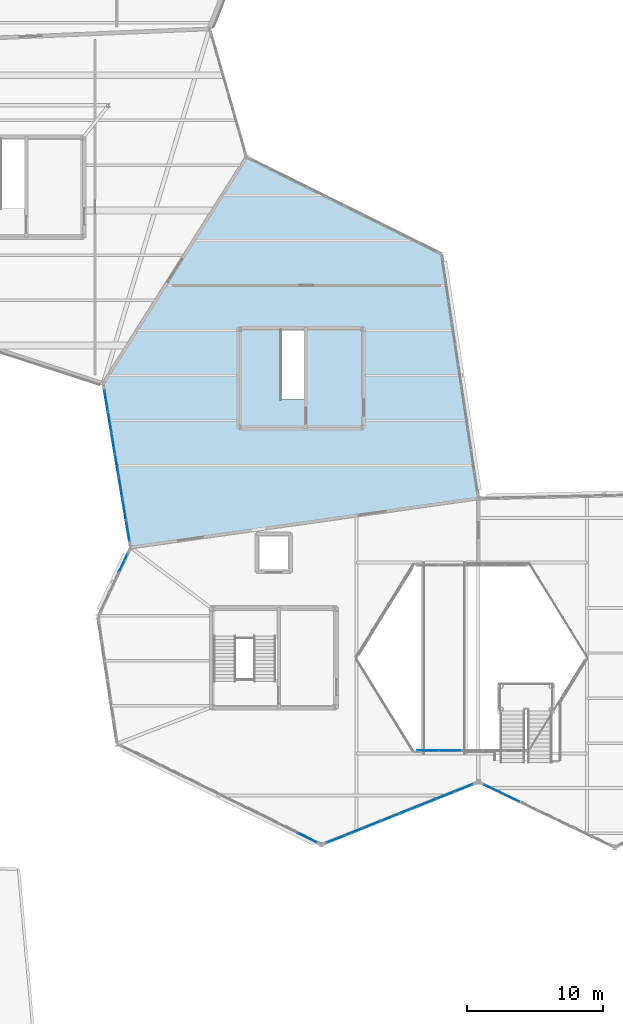
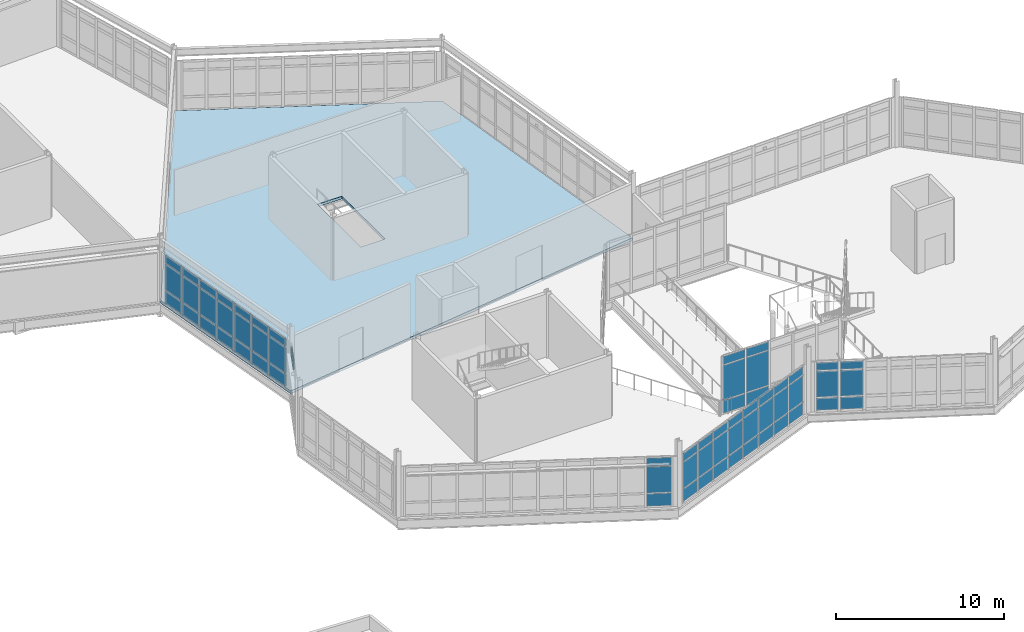
# One storey, part 45 of 76: 61 plates, 1 slab, 6 elements without a shape of their own.
"""IFC4 building model written with IfcOpenShell, lengths in metres."""

from ifc_helpers import new_model, si_unit, direction, frame, origin, origin_2d, place, context, subcontext, project, spatial, polyline, rectangle, outline, extrude, material, layer, layer_set, type_object, element, aggregate, save


model = new_model("IFC4")

# Units and contexts
model_context = context("Model", 3, precision=1e-05, world=origin(), true_north=direction((0.0, 1.0)))
body_context = subcontext(model_context, "Body", "Model", "MODEL_VIEW")
ifc_project = project(units=[si_unit("LENGTHUNIT", "METRE"), si_unit("AREAUNIT", "SQUARE_METRE"), si_unit("VOLUMEUNIT", "CUBIC_METRE"), si_unit("PLANEANGLEUNIT", "RADIAN"), si_unit("MASSUNIT", "GRAM", prefix="KILO")], contexts=[model_context])

# Site, building, storey
site_placement = place(None, origin())
site = spatial("IfcSite", under=ifc_project, at=site_placement, CompositionType="ELEMENT")
building_placement = place(site_placement, origin())
building = spatial("IfcBuilding", under=site, at=building_placement, Name="Tameran Prism Museum", CompositionType="ELEMENT")
storey_placement = place(building_placement, frame((0.0, 0.0, 15.0)))
storey = spatial("IfcBuildingStorey", under=building, at=storey_placement, Name="L03", CompositionType="ELEMENT", Elevation=15.0)

# Curtain wall, plates
ifc_material_1 = material(Name="Anodised Aluminium 6063-T6 and Cyclone Solar Glass", Category="aluminium")
curtain_wall_type_1 = type_object("IfcCurtainWallType", Name="CW-ATR-810x424", PredefinedType="USERDEFINED", material=ifc_material_1)
curtain_wall_1_placement = place(storey_placement, origin())
curtain_wall_1 = element("IfcCurtainWall", 1, at=curtain_wall_1_placement, inside=storey, type_object=curtain_wall_type_1, Name="Unitised Curtain Wall CW-011", ObjectType="UNITISED CURTAIN WALL", PredefinedType="USERDEFINED")
ifc_material_2 = material(Name="Low-E Laminated Solar Glass", Category="glass")
ifc_layer_1 = layer(ifc_material_2, 0.028076171875)
ifc_layer_set_1 = layer_set([ifc_layer_1])
plate_type_1 = type_object("IfcPlateType", Name="CW-PNL-G28", PredefinedType="CURTAIN_PANEL", material=ifc_layer_set_1)
plate_1_placement = place(storey_placement, frame((73.7763671875, 29.699951171875, 0.06494140625), z_axis=(0.0, 0.0, 1.0), x_axis=(1.0, 0.0, 0.0)))
plate_1 = element("IfcPlate", 2, at=plate_1_placement, type_object=plate_type_1, Name="CW-011 panel 1.1", PredefinedType="CURTAIN_PANEL", context=body_context, shape_type="SweptSolid", body=[
    extrude(rectangle(XDim=1.5224609375, YDim=0.028076171875, at=origin_2d()), origin(), (0.0, 0.0, 1.0), 0.902587890625),
])
plate_2_placement = place(storey_placement, frame((73.7763671875, 29.699951171875, 1.032470703125), z_axis=(0.0, 0.0, 1.0), x_axis=(1.0, 0.0, 0.0)))
plate_2 = element("IfcPlate", 3, at=plate_2_placement, type_object=plate_type_1, Name="CW-011 panel 1.2", PredefinedType="CURTAIN_PANEL", context=body_context, shape_type="SweptSolid", body=[
    extrude(rectangle(XDim=1.5224609375, YDim=0.028076171875, at=origin_2d()), origin(), (0.0, 0.0, 1.0), 2.4951171875),
])
plate_3_placement = place(storey_placement, frame((73.7763671875, 29.699951171875, 3.592529296875), z_axis=(0.0, 0.0, 1.0), x_axis=(1.0, 0.0, 0.0)))
plate_3 = element("IfcPlate", 4, at=plate_3_placement, type_object=plate_type_1, Name="CW-011 panel 1.3", PredefinedType="CURTAIN_PANEL", context=body_context, shape_type="SweptSolid", body=[
    extrude(rectangle(XDim=1.5224609375, YDim=0.028076171875, at=origin_2d()), origin(), (0.0, 0.0, 1.0), 0.58251953125),
])
plate_4_placement = place(storey_placement, frame((75.3798828125, 29.699951171875, 0.06494140625), z_axis=(0.0, 0.0, 1.0), x_axis=(1.0, 0.0, 0.0)))
plate_4 = element("IfcPlate", 5, at=plate_4_placement, type_object=plate_type_1, Name="CW-011 panel 2.1", PredefinedType="CURTAIN_PANEL", context=body_context, shape_type="SweptSolid", body=[
    extrude(rectangle(XDim=1.554931640625, YDim=0.028076171875, at=origin_2d()), origin(), (0.0, 0.0, 1.0), 0.902587890625),
])
plate_5_placement = place(storey_placement, frame((75.3798828125, 29.699951171875, 1.032470703125), z_axis=(0.0, 0.0, 1.0), x_axis=(1.0, 0.0, 0.0)))
plate_5 = element("IfcPlate", 6, at=plate_5_placement, type_object=plate_type_1, Name="CW-011 panel 2.2", PredefinedType="CURTAIN_PANEL", context=body_context, shape_type="SweptSolid", body=[
    extrude(rectangle(XDim=1.554931640625, YDim=0.028076171875, at=origin_2d()), origin(), (0.0, 0.0, 1.0), 2.4951171875),
])
plate_6_placement = place(storey_placement, frame((75.3798828125, 29.699951171875, 3.592529296875), z_axis=(0.0, 0.0, 1.0), x_axis=(1.0, 0.0, 0.0)))
plate_6 = element("IfcPlate", 7, at=plate_6_placement, type_object=plate_type_1, Name="CW-011 panel 2.3", PredefinedType="CURTAIN_PANEL", context=body_context, shape_type="SweptSolid", body=[
    extrude(rectangle(XDim=1.554931640625, YDim=0.028076171875, at=origin_2d()), origin(), (0.0, 0.0, 1.0), 0.58251953125),
])
aggregate(curtain_wall_1, [plate_1, plate_2, plate_3, plate_4, plate_5, plate_6])

ifc_material_3 = material(Name="Anodised Aluminium 6063-T6 and Cyclone Solar Glass", Category="aluminium")
curtain_wall_type_2 = type_object("IfcCurtainWallType", Name="CW-FAC-1163x362", PredefinedType="USERDEFINED", material=ifc_material_3)
curtain_wall_2_placement = place(storey_placement, origin())
curtain_wall_2 = element("IfcCurtainWall", 8, at=curtain_wall_2_placement, inside=storey, type_object=curtain_wall_type_2, Name="Unitised Curtain Wall CW-136", ObjectType="UNITISED CURTAIN WALL", PredefinedType="USERDEFINED")
plate_7_placement = place(storey_placement, frame((76.42822265625, 26.9716796875, 0.070068359375), z_axis=(0.0, 0.0, 1.0), x_axis=(-0.928464826032, -0.371420337114, 0.0)))
plate_7 = element("IfcPlate", 9, at=plate_7_placement, type_object=plate_type_1, Name="CW-136 panel 1.1", PredefinedType="CURTAIN_PANEL", context=body_context, shape_type="SweptSolid", body=[
    extrude(rectangle(XDim=1.34814453125, YDim=0.028076171875, at=origin_2d()), origin(), (0.0, 0.0, 1.0), 0.89501953125),
])
plate_8_placement = place(storey_placement, frame((76.42822265625, 26.9716796875, 1.034912109375), z_axis=(0.0, 0.0, 1.0), x_axis=(-0.928464826032, -0.371420337114, 0.0)))
plate_8 = element("IfcPlate", 10, at=plate_8_placement, type_object=plate_type_1, Name="CW-136 panel 1.2", PredefinedType="CURTAIN_PANEL", context=body_context, shape_type="SweptSolid", body=[
    extrude(rectangle(XDim=1.34814453125, YDim=0.028076171875, at=origin_2d()), origin(), (0.0, 0.0, 1.0), 1.8701171875),
])
plate_9_placement = place(storey_placement, frame((76.42822265625, 26.9716796875, 2.97509765625), z_axis=(0.0, 0.0, 1.0), x_axis=(-0.928464826032, -0.371420337114, 0.0)))
plate_9 = element("IfcPlate", 11, at=plate_9_placement, type_object=plate_type_1, Name="CW-136 panel 1.3", PredefinedType="CURTAIN_PANEL", context=body_context, shape_type="SweptSolid", body=[
    extrude(rectangle(XDim=1.34814453125, YDim=0.028076171875, at=origin_2d()), origin(), (0.0, 0.0, 1.0), 0.574951171875),
])
plate_10_placement = place(storey_placement, frame((75.09521484375, 26.4384765625, 0.070068359375), z_axis=(0.0, 0.0, 1.0), x_axis=(-0.928464826032, -0.371420337114, 0.0)))
plate_10 = element("IfcPlate", 12, at=plate_10_placement, type_object=plate_type_1, Name="CW-136 panel 2.1", PredefinedType="CURTAIN_PANEL", context=body_context, shape_type="SweptSolid", body=[
    extrude(rectangle(XDim=1.38330078125, YDim=0.028076171875, at=origin_2d()), origin(), (0.0, 0.0, 1.0), 0.89501953125),
])
plate_11_placement = place(storey_placement, frame((75.09521484375, 26.4384765625, 1.034912109375), z_axis=(0.0, 0.0, 1.0), x_axis=(-0.928464826032, -0.371420337114, 0.0)))
plate_11 = element("IfcPlate", 13, at=plate_11_placement, type_object=plate_type_1, Name="CW-136 panel 2.2", PredefinedType="CURTAIN_PANEL", context=body_context, shape_type="SweptSolid", body=[
    extrude(rectangle(XDim=1.38330078125, YDim=0.028076171875, at=origin_2d()), origin(), (0.0, 0.0, 1.0), 1.8701171875),
])
plate_12_placement = place(storey_placement, frame((75.09521484375, 26.4384765625, 2.97509765625), z_axis=(0.0, 0.0, 1.0), x_axis=(-0.928464826032, -0.371420337114, 0.0)))
plate_12 = element("IfcPlate", 14, at=plate_12_placement, type_object=plate_type_1, Name="CW-136 panel 2.3", PredefinedType="CURTAIN_PANEL", context=body_context, shape_type="SweptSolid", body=[
    extrude(rectangle(XDim=1.38330078125, YDim=0.028076171875, at=origin_2d()), origin(), (0.0, 0.0, 1.0), 0.574951171875),
])
plate_13_placement = place(storey_placement, frame((73.745849609375, 25.898681640625, 0.070068359375), z_axis=(0.0, 0.0, 1.0), x_axis=(-0.928464826032, -0.371420337114, 0.0)))
plate_13 = element("IfcPlate", 15, at=plate_13_placement, type_object=plate_type_1, Name="CW-136 panel 3.1", PredefinedType="CURTAIN_PANEL", context=body_context, shape_type="SweptSolid", body=[
    extrude(rectangle(XDim=1.38330078125, YDim=0.028076171875, at=origin_2d()), origin(), (0.0, 0.0, 1.0), 0.89501953125),
])
plate_14_placement = place(storey_placement, frame((73.745849609375, 25.898681640625, 1.034912109375), z_axis=(0.0, 0.0, 1.0), x_axis=(-0.928464826032, -0.371420337114, 0.0)))
plate_14 = element("IfcPlate", 16, at=plate_14_placement, type_object=plate_type_1, Name="CW-136 panel 3.2", PredefinedType="CURTAIN_PANEL", context=body_context, shape_type="SweptSolid", body=[
    extrude(rectangle(XDim=1.38330078125, YDim=0.028076171875, at=origin_2d()), origin(), (0.0, 0.0, 1.0), 1.8701171875),
])
plate_15_placement = place(storey_placement, frame((73.745849609375, 25.898681640625, 2.97509765625), z_axis=(0.0, 0.0, 1.0), x_axis=(-0.928464826032, -0.371420337114, 0.0)))
plate_15 = element("IfcPlate", 17, at=plate_15_placement, type_object=plate_type_1, Name="CW-136 panel 3.3", PredefinedType="CURTAIN_PANEL", context=body_context, shape_type="SweptSolid", body=[
    extrude(rectangle(XDim=1.38330078125, YDim=0.028076171875, at=origin_2d()), origin(), (0.0, 0.0, 1.0), 0.574951171875),
])
plate_16_placement = place(storey_placement, frame((72.396728515625, 25.35888671875, 0.070068359375), z_axis=(0.0, 0.0, 1.0), x_axis=(-0.928464826032, -0.371420337114, 0.0)))
plate_16 = element("IfcPlate", 18, at=plate_16_placement, type_object=plate_type_1, Name="CW-136 panel 4.1", PredefinedType="CURTAIN_PANEL", context=body_context, shape_type="SweptSolid", body=[
    extrude(rectangle(XDim=1.38330078125, YDim=0.028076171875, at=origin_2d()), origin(), (0.0, 0.0, 1.0), 0.89501953125),
])
plate_17_placement = place(storey_placement, frame((72.396728515625, 25.35888671875, 1.034912109375), z_axis=(0.0, 0.0, 1.0), x_axis=(-0.928464826032, -0.371420337114, 0.0)))
plate_17 = element("IfcPlate", 19, at=plate_17_placement, type_object=plate_type_1, Name="CW-136 panel 4.2", PredefinedType="CURTAIN_PANEL", context=body_context, shape_type="SweptSolid", body=[
    extrude(rectangle(XDim=1.38330078125, YDim=0.028076171875, at=origin_2d()), origin(), (0.0, 0.0, 1.0), 1.8701171875),
])
plate_18_placement = place(storey_placement, frame((72.396728515625, 25.35888671875, 2.97509765625), z_axis=(0.0, 0.0, 1.0), x_axis=(-0.928464826032, -0.371420337114, 0.0)))
plate_18 = element("IfcPlate", 20, at=plate_18_placement, type_object=plate_type_1, Name="CW-136 panel 4.3", PredefinedType="CURTAIN_PANEL", context=body_context, shape_type="SweptSolid", body=[
    extrude(rectangle(XDim=1.38330078125, YDim=0.028076171875, at=origin_2d()), origin(), (0.0, 0.0, 1.0), 0.574951171875),
])
plate_19_placement = place(storey_placement, frame((71.04736328125, 24.819091796875, 0.070068359375), z_axis=(0.0, 0.0, 1.0), x_axis=(-0.928464826032, -0.371420337114, 0.0)))
plate_19 = element("IfcPlate", 21, at=plate_19_placement, type_object=plate_type_1, Name="CW-136 panel 5.1", PredefinedType="CURTAIN_PANEL", context=body_context, shape_type="SweptSolid", body=[
    extrude(rectangle(XDim=1.38330078125, YDim=0.028076171875, at=origin_2d()), origin(), (0.0, 0.0, 1.0), 0.89501953125),
])
plate_20_placement = place(storey_placement, frame((71.04736328125, 24.819091796875, 1.034912109375), z_axis=(0.0, 0.0, 1.0), x_axis=(-0.928464826032, -0.371420337114, 0.0)))
plate_20 = element("IfcPlate", 22, at=plate_20_placement, type_object=plate_type_1, Name="CW-136 panel 5.2", PredefinedType="CURTAIN_PANEL", context=body_context, shape_type="SweptSolid", body=[
    extrude(rectangle(XDim=1.38330078125, YDim=0.028076171875, at=origin_2d()), origin(), (0.0, 0.0, 1.0), 1.8701171875),
])
plate_21_placement = place(storey_placement, frame((71.04736328125, 24.819091796875, 2.97509765625), z_axis=(0.0, 0.0, 1.0), x_axis=(-0.928464826032, -0.371420337114, 0.0)))
plate_21 = element("IfcPlate", 23, at=plate_21_placement, type_object=plate_type_1, Name="CW-136 panel 5.3", PredefinedType="CURTAIN_PANEL", context=body_context, shape_type="SweptSolid", body=[
    extrude(rectangle(XDim=1.38330078125, YDim=0.028076171875, at=origin_2d()), origin(), (0.0, 0.0, 1.0), 0.574951171875),
])
plate_22_placement = place(storey_placement, frame((69.6982421875, 24.279296875, 0.070068359375), z_axis=(0.0, 0.0, 1.0), x_axis=(-0.928464826032, -0.371420337114, 0.0)))
plate_22 = element("IfcPlate", 24, at=plate_22_placement, type_object=plate_type_1, Name="CW-136 panel 6.1", PredefinedType="CURTAIN_PANEL", context=body_context, shape_type="SweptSolid", body=[
    extrude(rectangle(XDim=1.38330078125, YDim=0.028076171875, at=origin_2d()), origin(), (0.0, 0.0, 1.0), 0.89501953125),
])
plate_23_placement = place(storey_placement, frame((69.6982421875, 24.279296875, 1.034912109375), z_axis=(0.0, 0.0, 1.0), x_axis=(-0.928464826032, -0.371420337114, 0.0)))
plate_23 = element("IfcPlate", 25, at=plate_23_placement, type_object=plate_type_1, Name="CW-136 panel 6.2", PredefinedType="CURTAIN_PANEL", context=body_context, shape_type="SweptSolid", body=[
    extrude(rectangle(XDim=1.38330078125, YDim=0.028076171875, at=origin_2d()), origin(), (0.0, 0.0, 1.0), 1.8701171875),
])
plate_24_placement = place(storey_placement, frame((69.6982421875, 24.279296875, 2.97509765625), z_axis=(0.0, 0.0, 1.0), x_axis=(-0.928464826032, -0.371420337114, 0.0)))
plate_24 = element("IfcPlate", 26, at=plate_24_placement, type_object=plate_type_1, Name="CW-136 panel 6.3", PredefinedType="CURTAIN_PANEL", context=body_context, shape_type="SweptSolid", body=[
    extrude(rectangle(XDim=1.38330078125, YDim=0.028076171875, at=origin_2d()), origin(), (0.0, 0.0, 1.0), 0.574951171875),
])
plate_25_placement = place(storey_placement, frame((68.348876953125, 23.73974609375, 0.070068359375), z_axis=(0.0, 0.0, 1.0), x_axis=(-0.928464826032, -0.371420337114, 0.0)))
plate_25 = element("IfcPlate", 27, at=plate_25_placement, type_object=plate_type_1, Name="CW-136 panel 7.1", PredefinedType="CURTAIN_PANEL", context=body_context, shape_type="SweptSolid", body=[
    extrude(rectangle(XDim=1.38330078125, YDim=0.028076171875, at=origin_2d()), origin(), (0.0, 0.0, 1.0), 0.89501953125),
])
plate_26_placement = place(storey_placement, frame((68.348876953125, 23.73974609375, 1.034912109375), z_axis=(0.0, 0.0, 1.0), x_axis=(-0.928464826032, -0.371420337114, 0.0)))
plate_26 = element("IfcPlate", 28, at=plate_26_placement, type_object=plate_type_1, Name="CW-136 panel 7.2", PredefinedType="CURTAIN_PANEL", context=body_context, shape_type="SweptSolid", body=[
    extrude(rectangle(XDim=1.38330078125, YDim=0.028076171875, at=origin_2d()), origin(), (0.0, 0.0, 1.0), 1.8701171875),
])
plate_27_placement = place(storey_placement, frame((68.348876953125, 23.73974609375, 2.97509765625), z_axis=(0.0, 0.0, 1.0), x_axis=(-0.928464826032, -0.371420337114, 0.0)))
plate_27 = element("IfcPlate", 29, at=plate_27_placement, type_object=plate_type_1, Name="CW-136 panel 7.3", PredefinedType="CURTAIN_PANEL", context=body_context, shape_type="SweptSolid", body=[
    extrude(rectangle(XDim=1.38330078125, YDim=0.028076171875, at=origin_2d()), origin(), (0.0, 0.0, 1.0), 0.574951171875),
])
plate_28_placement = place(storey_placement, frame((67.015869140625, 23.206298828125, 0.070068359375), z_axis=(0.0, 0.0, 1.0), x_axis=(-0.928464826032, -0.371420337114, 0.0)))
plate_28 = element("IfcPlate", 30, at=plate_28_placement, type_object=plate_type_1, Name="CW-136 panel 8.1", PredefinedType="CURTAIN_PANEL", context=body_context, shape_type="SweptSolid", body=[
    extrude(rectangle(XDim=1.34814453125, YDim=0.028076171875, at=origin_2d()), origin(), (0.0, 0.0, 1.0), 0.89501953125),
])
plate_29_placement = place(storey_placement, frame((67.015869140625, 23.206298828125, 1.034912109375), z_axis=(0.0, 0.0, 1.0), x_axis=(-0.928464826032, -0.371420337114, 0.0)))
plate_29 = element("IfcPlate", 31, at=plate_29_placement, type_object=plate_type_1, Name="CW-136 panel 8.2", PredefinedType="CURTAIN_PANEL", context=body_context, shape_type="SweptSolid", body=[
    extrude(rectangle(XDim=1.34814453125, YDim=0.028076171875, at=origin_2d()), origin(), (0.0, 0.0, 1.0), 1.8701171875),
])
plate_30_placement = place(storey_placement, frame((67.015869140625, 23.206298828125, 2.97509765625), z_axis=(0.0, 0.0, 1.0), x_axis=(-0.928464826032, -0.371420337114, 0.0)))
plate_30 = element("IfcPlate", 32, at=plate_30_placement, type_object=plate_type_1, Name="CW-136 panel 8.3", PredefinedType="CURTAIN_PANEL", context=body_context, shape_type="SweptSolid", body=[
    extrude(rectangle(XDim=1.34814453125, YDim=0.028076171875, at=origin_2d()), origin(), (0.0, 0.0, 1.0), 0.574951171875),
])
aggregate(curtain_wall_2, [plate_7, plate_8, plate_9, plate_10, plate_11, plate_12, plate_13, plate_14, plate_15, plate_16, plate_17, plate_18, plate_19, plate_20, plate_21, plate_22, plate_23, plate_24, plate_25, plate_26, plate_27, plate_28, plate_29, plate_30])

ifc_material_4 = material(Name="Anodised Aluminium 6063-T6 and Cyclone Solar Glass", Category="aluminium")
curtain_wall_type_3 = type_object("IfcCurtainWallType", Name="CW-FAC-1603x362", PredefinedType="USERDEFINED", material=ifc_material_4)
curtain_wall_3_placement = place(storey_placement, origin())
curtain_wall_3 = element("IfcCurtainWall", 33, at=curtain_wall_3_placement, inside=storey, type_object=curtain_wall_type_3, Name="Unitised Curtain Wall CW-135", ObjectType="UNITISED CURTAIN WALL", PredefinedType="USERDEFINED")
ifc_material_5 = material(Name="Cyclone Laminated Solar Glass", Category="glass")
ifc_layer_2 = layer(ifc_material_5, 0.031982421875)
ifc_layer_set_2 = layer_set([ifc_layer_2])
plate_type_2 = type_object("IfcPlateType", Name="CW-PNL-G32", PredefinedType="CURTAIN_PANEL", material=ifc_layer_set_2)
plate_31_placement = place(storey_placement, frame((64.952880859375, 23.316650390625, 0.06494140625), z_axis=(0.0, 0.0, 1.0), x_axis=(-0.896810506275, 0.44241486846, 0.0)))
plate_31 = element("IfcPlate", 34, at=plate_31_placement, type_object=plate_type_2, Name="CW-135 panel 1.1", PredefinedType="CURTAIN_PANEL", context=body_context, shape_type="SweptSolid", body=[
    extrude(rectangle(XDim=1.505126953125, YDim=0.031982421875, at=origin_2d()), origin(), (0.0, 0.0, 1.0), 0.902587890625),
])
plate_32_placement = place(storey_placement, frame((64.952880859375, 23.316650390625, 1.032470703125), z_axis=(0.0, 0.0, 1.0), x_axis=(-0.896810506275, 0.44241486846, 0.0)))
plate_32 = element("IfcPlate", 35, at=plate_32_placement, type_object=plate_type_2, Name="CW-135 panel 1.2", PredefinedType="CURTAIN_PANEL", context=body_context, shape_type="SweptSolid", body=[
    extrude(rectangle(XDim=1.505126953125, YDim=0.031982421875, at=origin_2d()), origin(), (0.0, 0.0, 1.0), 1.875),
])
plate_33_placement = place(storey_placement, frame((64.952880859375, 23.316650390625, 2.972412109375), z_axis=(0.0, 0.0, 1.0), x_axis=(-0.896810506275, 0.44241486846, 0.0)))
plate_33 = element("IfcPlate", 36, at=plate_33_placement, type_object=plate_type_2, Name="CW-135 panel 1.3", PredefinedType="CURTAIN_PANEL", context=body_context, shape_type="SweptSolid", body=[
    extrude(rectangle(XDim=1.505126953125, YDim=0.031982421875, at=origin_2d()), origin(), (0.0, 0.0, 1.0), 0.58251953125),
])
aggregate(curtain_wall_3, [plate_31, plate_32, plate_33])

# Curtain wall, plate
ifc_material_6 = material(Name="Anodised Aluminium 6063-T6 and Cyclone Solar Glass", Category="aluminium")
curtain_wall_type_4 = type_object("IfcCurtainWallType", Name="CW-FAC-488x362", PredefinedType="USERDEFINED", material=ifc_material_6)
curtain_wall_4_placement = place(storey_placement, origin())
curtain_wall_4 = element("IfcCurtainWall", 37, at=curtain_wall_4_placement, inside=storey, type_object=curtain_wall_type_4, Name="Unitised Curtain Wall CW-137", ObjectType="UNITISED CURTAIN WALL", PredefinedType="USERDEFINED")
plate_34_placement = place(storey_placement, frame((51.470947265625, 43.476806640625, 2.9775390625), z_axis=(0.0, 0.0, 1.0), x_axis=(0.425757529364, 0.904837292661, 0.0)))
plate_34 = element("IfcPlate", 38, at=plate_34_placement, type_object=plate_type_2, Name="CW-137 panel 3.3", PredefinedType="CURTAIN_PANEL", context=body_context, shape_type="SweptSolid", body=[
    extrude(rectangle(XDim=1.512939453125, YDim=0.031982421875, at=origin_2d()), origin(), (0.0, 0.0, 1.0), 0.5673828125),
])
aggregate(curtain_wall_4, [plate_34])

# Curtain wall, plates
ifc_material_7 = material(Name="Anodised Aluminium 6063-T6 and Cyclone Solar Glass", Category="aluminium")
curtain_wall_type_5 = type_object("IfcCurtainWallType", Name="CW-FAC-1033x362", PredefinedType="USERDEFINED", material=ifc_material_7)
curtain_wall_5_placement = place(storey_placement, origin())
curtain_wall_5 = element("IfcCurtainWall", 39, at=curtain_wall_5_placement, inside=storey, type_object=curtain_wall_type_5, Name="Unitised Curtain Wall CW-138", ObjectType="UNITISED CURTAIN WALL", PredefinedType="USERDEFINED")
plate_35_placement = place(storey_placement, frame((79.865966796875, 26.2646484375, 0.080078125), z_axis=(0.0, 0.0, 1.0), x_axis=(-0.901474721245, 0.432831753637, 0.0)))
plate_35 = element("IfcPlate", 40, at=plate_35_placement, type_object=plate_type_2, Name="CW-138 panel 6.1", PredefinedType="CURTAIN_PANEL", context=body_context, shape_type="SweptSolid", body=[
    extrude(rectangle(XDim=1.39599609375, YDim=0.031982421875, at=origin_2d()), origin(), (0.0, 0.0, 1.0), 0.8798828125),
])
plate_36_placement = place(storey_placement, frame((79.865966796875, 26.2646484375, 1.0400390625), z_axis=(0.0, 0.0, 1.0), x_axis=(-0.901474721245, 0.432831753637, 0.0)))
plate_36 = element("IfcPlate", 41, at=plate_36_placement, type_object=plate_type_2, Name="CW-138 panel 6.2", PredefinedType="CURTAIN_PANEL", context=body_context, shape_type="SweptSolid", body=[
    extrude(rectangle(XDim=1.39599609375, YDim=0.031982421875, at=origin_2d()), origin(), (0.0, 0.0, 1.0), 1.860107421875),
])
plate_37_placement = place(storey_placement, frame((79.865966796875, 26.2646484375, 2.97998046875), z_axis=(0.0, 0.0, 1.0), x_axis=(-0.901474721245, 0.432831753637, 0.0)))
plate_37 = element("IfcPlate", 42, at=plate_37_placement, type_object=plate_type_2, Name="CW-138 panel 6.3", PredefinedType="CURTAIN_PANEL", context=body_context, shape_type="SweptSolid", body=[
    extrude(rectangle(XDim=1.39599609375, YDim=0.031982421875, at=origin_2d()), origin(), (0.0, 0.0, 1.0), 0.56005859375),
])
plate_38_placement = place(storey_placement, frame((78.55322265625, 26.89501953125, 0.080078125), z_axis=(0.0, 0.0, 1.0), x_axis=(-0.901474721245, 0.432831753637, 0.0)))
plate_38 = element("IfcPlate", 43, at=plate_38_placement, type_object=plate_type_2, Name="CW-138 panel 7.1", PredefinedType="CURTAIN_PANEL", context=body_context, shape_type="SweptSolid", body=[
    extrude(rectangle(XDim=1.35595703125, YDim=0.031982421875, at=origin_2d()), origin(), (0.0, 0.0, 1.0), 0.8798828125),
])
plate_39_placement = place(storey_placement, frame((78.55322265625, 26.89501953125, 1.0400390625), z_axis=(0.0, 0.0, 1.0), x_axis=(-0.901474721245, 0.432831753637, 0.0)))
plate_39 = element("IfcPlate", 44, at=plate_39_placement, type_object=plate_type_2, Name="CW-138 panel 7.2", PredefinedType="CURTAIN_PANEL", context=body_context, shape_type="SweptSolid", body=[
    extrude(rectangle(XDim=1.35595703125, YDim=0.031982421875, at=origin_2d()), origin(), (0.0, 0.0, 1.0), 1.860107421875),
])
plate_40_placement = place(storey_placement, frame((78.55322265625, 26.89501953125, 2.97998046875), z_axis=(0.0, 0.0, 1.0), x_axis=(-0.901474721245, 0.432831753637, 0.0)))
plate_40 = element("IfcPlate", 45, at=plate_40_placement, type_object=plate_type_2, Name="CW-138 panel 7.3", PredefinedType="CURTAIN_PANEL", context=body_context, shape_type="SweptSolid", body=[
    extrude(rectangle(XDim=1.35595703125, YDim=0.031982421875, at=origin_2d()), origin(), (0.0, 0.0, 1.0), 0.56005859375),
])
aggregate(curtain_wall_5, [plate_35, plate_36, plate_37, plate_38, plate_39, plate_40])

ifc_material_8 = material(Name="Anodised Aluminium 6063-T6 and Cyclone Solar Glass", Category="aluminium")
curtain_wall_type_6 = type_object("IfcCurtainWallType", Name="CW-FAC-1135x362", PredefinedType="USERDEFINED", material=ifc_material_8)
curtain_wall_6_placement = place(storey_placement, origin())
curtain_wall_6 = element("IfcCurtainWall", 46, at=curtain_wall_6_placement, inside=storey, type_object=curtain_wall_type_6, Name="Unitised Curtain Wall CW-142", ObjectType="UNITISED CURTAIN WALL", PredefinedType="USERDEFINED")
plate_41_placement = place(storey_placement, frame((51.795654296875, 45.8232421875, 0.080078125), z_axis=(0.0, 0.0, 1.0), x_axis=(-0.164284648199, 0.986412973539, 0.0)))
plate_41 = element("IfcPlate", 47, at=plate_41_placement, type_object=plate_type_2, Name="CW-142 panel 1.1", PredefinedType="CURTAIN_PANEL", context=body_context, shape_type="SweptSolid", body=[
    extrude(rectangle(XDim=1.5009765625, YDim=0.031982421875, at=origin_2d()), origin(), (0.0, 0.0, 1.0), 0.8798828125),
])
plate_42_placement = place(storey_placement, frame((51.795654296875, 45.8232421875, 1.0400390625), z_axis=(0.0, 0.0, 1.0), x_axis=(-0.164284648199, 0.986412973539, 0.0)))
plate_42 = element("IfcPlate", 48, at=plate_42_placement, type_object=plate_type_2, Name="CW-142 panel 1.2", PredefinedType="CURTAIN_PANEL", context=body_context, shape_type="SweptSolid", body=[
    extrude(rectangle(XDim=1.5009765625, YDim=0.031982421875, at=origin_2d()), origin(), (0.0, 0.0, 1.0), 1.860107421875),
])
plate_43_placement = place(storey_placement, frame((51.795654296875, 45.8232421875, 2.97998046875), z_axis=(0.0, 0.0, 1.0), x_axis=(-0.164284648199, 0.986412973539, 0.0)))
plate_43 = element("IfcPlate", 49, at=plate_43_placement, type_object=plate_type_2, Name="CW-142 panel 1.3", PredefinedType="CURTAIN_PANEL", context=body_context, shape_type="SweptSolid", body=[
    extrude(rectangle(XDim=1.5009765625, YDim=0.031982421875, at=origin_2d()), origin(), (0.0, 0.0, 1.0), 0.56005859375),
])
plate_44_placement = place(storey_placement, frame((51.532470703125, 47.40234375, 0.080078125), z_axis=(0.0, 0.0, 1.0), x_axis=(-0.164284648199, 0.986412973539, 0.0)))
plate_44 = element("IfcPlate", 50, at=plate_44_placement, type_object=plate_type_2, Name="CW-142 panel 2.1", PredefinedType="CURTAIN_PANEL", context=body_context, shape_type="SweptSolid", body=[
    extrude(rectangle(XDim=1.540771484375, YDim=0.031982421875, at=origin_2d()), origin(), (0.0, 0.0, 1.0), 0.8798828125),
])
plate_45_placement = place(storey_placement, frame((51.532470703125, 47.40234375, 1.0400390625), z_axis=(0.0, 0.0, 1.0), x_axis=(-0.164284648199, 0.986412973539, 0.0)))
plate_45 = element("IfcPlate", 51, at=plate_45_placement, type_object=plate_type_2, Name="CW-142 panel 2.2", PredefinedType="CURTAIN_PANEL", context=body_context, shape_type="SweptSolid", body=[
    extrude(rectangle(XDim=1.540771484375, YDim=0.031982421875, at=origin_2d()), origin(), (0.0, 0.0, 1.0), 1.860107421875),
])
plate_46_placement = place(storey_placement, frame((51.532470703125, 47.40234375, 2.97998046875), z_axis=(0.0, 0.0, 1.0), x_axis=(-0.164284648199, 0.986412973539, 0.0)))
plate_46 = element("IfcPlate", 52, at=plate_46_placement, type_object=plate_type_2, Name="CW-142 panel 2.3", PredefinedType="CURTAIN_PANEL", context=body_context, shape_type="SweptSolid", body=[
    extrude(rectangle(XDim=1.540771484375, YDim=0.031982421875, at=origin_2d()), origin(), (0.0, 0.0, 1.0), 0.56005859375),
])
plate_47_placement = place(storey_placement, frame((51.266357421875, 49.001220703125, 0.080078125), z_axis=(0.0, 0.0, 1.0), x_axis=(-0.164284648199, 0.986412973539, 0.0)))
plate_47 = element("IfcPlate", 53, at=plate_47_placement, type_object=plate_type_2, Name="CW-142 panel 3.1", PredefinedType="CURTAIN_PANEL", context=body_context, shape_type="SweptSolid", body=[
    extrude(rectangle(XDim=1.540771484375, YDim=0.031982421875, at=origin_2d()), origin(), (0.0, 0.0, 1.0), 0.8798828125),
])
plate_48_placement = place(storey_placement, frame((51.266357421875, 49.001220703125, 1.0400390625), z_axis=(0.0, 0.0, 1.0), x_axis=(-0.164284648199, 0.986412973539, 0.0)))
plate_48 = element("IfcPlate", 54, at=plate_48_placement, type_object=plate_type_2, Name="CW-142 panel 3.2", PredefinedType="CURTAIN_PANEL", context=body_context, shape_type="SweptSolid", body=[
    extrude(rectangle(XDim=1.540771484375, YDim=0.031982421875, at=origin_2d()), origin(), (0.0, 0.0, 1.0), 1.860107421875),
])
plate_49_placement = place(storey_placement, frame((51.266357421875, 49.001220703125, 2.97998046875), z_axis=(0.0, 0.0, 1.0), x_axis=(-0.164284648199, 0.986412973539, 0.0)))
plate_49 = element("IfcPlate", 55, at=plate_49_placement, type_object=plate_type_2, Name="CW-142 panel 3.3", PredefinedType="CURTAIN_PANEL", context=body_context, shape_type="SweptSolid", body=[
    extrude(rectangle(XDim=1.540771484375, YDim=0.031982421875, at=origin_2d()), origin(), (0.0, 0.0, 1.0), 0.56005859375),
])
plate_50_placement = place(storey_placement, frame((51.0, 50.60009765625, 0.080078125), z_axis=(0.0, 0.0, 1.0), x_axis=(-0.164284648199, 0.986412973539, 0.0)))
plate_50 = element("IfcPlate", 56, at=plate_50_placement, type_object=plate_type_2, Name="CW-142 panel 4.1", PredefinedType="CURTAIN_PANEL", context=body_context, shape_type="SweptSolid", body=[
    extrude(rectangle(XDim=1.540771484375, YDim=0.031982421875, at=origin_2d()), origin(), (0.0, 0.0, 1.0), 0.8798828125),
])
plate_51_placement = place(storey_placement, frame((51.0, 50.60009765625, 1.0400390625), z_axis=(0.0, 0.0, 1.0), x_axis=(-0.164284648199, 0.986412973539, 0.0)))
plate_51 = element("IfcPlate", 57, at=plate_51_placement, type_object=plate_type_2, Name="CW-142 panel 4.2", PredefinedType="CURTAIN_PANEL", context=body_context, shape_type="SweptSolid", body=[
    extrude(rectangle(XDim=1.540771484375, YDim=0.031982421875, at=origin_2d()), origin(), (0.0, 0.0, 1.0), 1.860107421875),
])
plate_52_placement = place(storey_placement, frame((51.0, 50.60009765625, 2.97998046875), z_axis=(0.0, 0.0, 1.0), x_axis=(-0.164284648199, 0.986412973539, 0.0)))
plate_52 = element("IfcPlate", 58, at=plate_52_placement, type_object=plate_type_2, Name="CW-142 panel 4.3", PredefinedType="CURTAIN_PANEL", context=body_context, shape_type="SweptSolid", body=[
    extrude(rectangle(XDim=1.540771484375, YDim=0.031982421875, at=origin_2d()), origin(), (0.0, 0.0, 1.0), 0.56005859375),
])
plate_53_placement = place(storey_placement, frame((50.733642578125, 52.198974609375, 0.080078125), z_axis=(0.0, 0.0, 1.0), x_axis=(-0.164284648199, 0.986412973539, 0.0)))
plate_53 = element("IfcPlate", 59, at=plate_53_placement, type_object=plate_type_2, Name="CW-142 panel 5.1", PredefinedType="CURTAIN_PANEL", context=body_context, shape_type="SweptSolid", body=[
    extrude(rectangle(XDim=1.540771484375, YDim=0.031982421875, at=origin_2d()), origin(), (0.0, 0.0, 1.0), 0.8798828125),
])
plate_54_placement = place(storey_placement, frame((50.733642578125, 52.198974609375, 1.0400390625), z_axis=(0.0, 0.0, 1.0), x_axis=(-0.164284648199, 0.986412973539, 0.0)))
plate_54 = element("IfcPlate", 60, at=plate_54_placement, type_object=plate_type_2, Name="CW-142 panel 5.2", PredefinedType="CURTAIN_PANEL", context=body_context, shape_type="SweptSolid", body=[
    extrude(rectangle(XDim=1.540771484375, YDim=0.031982421875, at=origin_2d()), origin(), (0.0, 0.0, 1.0), 1.860107421875),
])
plate_55_placement = place(storey_placement, frame((50.733642578125, 52.198974609375, 2.97998046875), z_axis=(0.0, 0.0, 1.0), x_axis=(-0.164284648199, 0.986412973539, 0.0)))
plate_55 = element("IfcPlate", 61, at=plate_55_placement, type_object=plate_type_2, Name="CW-142 panel 5.3", PredefinedType="CURTAIN_PANEL", context=body_context, shape_type="SweptSolid", body=[
    extrude(rectangle(XDim=1.540771484375, YDim=0.031982421875, at=origin_2d()), origin(), (0.0, 0.0, 1.0), 0.56005859375),
])
plate_56_placement = place(storey_placement, frame((50.467529296875, 53.797607421875, 0.080078125), z_axis=(0.0, 0.0, 1.0), x_axis=(-0.164284648199, 0.986412973539, 0.0)))
plate_56 = element("IfcPlate", 62, at=plate_56_placement, type_object=plate_type_2, Name="CW-142 panel 6.1", PredefinedType="CURTAIN_PANEL", context=body_context, shape_type="SweptSolid", body=[
    extrude(rectangle(XDim=1.540771484375, YDim=0.031982421875, at=origin_2d()), origin(), (0.0, 0.0, 1.0), 0.8798828125),
])
plate_57_placement = place(storey_placement, frame((50.467529296875, 53.797607421875, 1.0400390625), z_axis=(0.0, 0.0, 1.0), x_axis=(-0.164284648199, 0.986412973539, 0.0)))
plate_57 = element("IfcPlate", 63, at=plate_57_placement, type_object=plate_type_2, Name="CW-142 panel 6.2", PredefinedType="CURTAIN_PANEL", context=body_context, shape_type="SweptSolid", body=[
    extrude(rectangle(XDim=1.540771484375, YDim=0.031982421875, at=origin_2d()), origin(), (0.0, 0.0, 1.0), 1.860107421875),
])
plate_58_placement = place(storey_placement, frame((50.467529296875, 53.797607421875, 2.97998046875), z_axis=(0.0, 0.0, 1.0), x_axis=(-0.164284648199, 0.986412973539, 0.0)))
plate_58 = element("IfcPlate", 64, at=plate_58_placement, type_object=plate_type_2, Name="CW-142 panel 6.3", PredefinedType="CURTAIN_PANEL", context=body_context, shape_type="SweptSolid", body=[
    extrude(rectangle(XDim=1.540771484375, YDim=0.031982421875, at=origin_2d()), origin(), (0.0, 0.0, 1.0), 0.56005859375),
])
plate_59_placement = place(storey_placement, frame((50.204345703125, 55.376953125, 0.080078125), z_axis=(0.0, 0.0, 1.0), x_axis=(-0.164284648199, 0.986412973539, 0.0)))
plate_59 = element("IfcPlate", 65, at=plate_59_placement, type_object=plate_type_2, Name="CW-142 panel 7.1", PredefinedType="CURTAIN_PANEL", context=body_context, shape_type="SweptSolid", body=[
    extrude(rectangle(XDim=1.5009765625, YDim=0.031982421875, at=origin_2d()), origin(), (0.0, 0.0, 1.0), 0.8798828125),
])
plate_60_placement = place(storey_placement, frame((50.204345703125, 55.376953125, 1.0400390625), z_axis=(0.0, 0.0, 1.0), x_axis=(-0.164284648199, 0.986412973539, 0.0)))
plate_60 = element("IfcPlate", 66, at=plate_60_placement, type_object=plate_type_2, Name="CW-142 panel 7.2", PredefinedType="CURTAIN_PANEL", context=body_context, shape_type="SweptSolid", body=[
    extrude(rectangle(XDim=1.5009765625, YDim=0.031982421875, at=origin_2d()), origin(), (0.0, 0.0, 1.0), 1.860107421875),
])
plate_61_placement = place(storey_placement, frame((50.204345703125, 55.376953125, 2.97998046875), z_axis=(0.0, 0.0, 1.0), x_axis=(-0.164284648199, 0.986412973539, 0.0)))
plate_61 = element("IfcPlate", 67, at=plate_61_placement, type_object=plate_type_2, Name="CW-142 panel 7.3", PredefinedType="CURTAIN_PANEL", context=body_context, shape_type="SweptSolid", body=[
    extrude(rectangle(XDim=1.5009765625, YDim=0.031982421875, at=origin_2d()), origin(), (0.0, 0.0, 1.0), 0.56005859375),
])
aggregate(curtain_wall_6, [plate_41, plate_42, plate_43, plate_44, plate_45, plate_46, plate_47, plate_48, plate_49, plate_50, plate_51, plate_52, plate_53, plate_54, plate_55, plate_56, plate_57, plate_58, plate_59, plate_60, plate_61])

# Slab
ifc_material_9 = material(Name="Concrete N32 (32 MPa)", Category="concrete")
ifc_layer_3 = layer(ifc_material_9, 0.199951171875)
ifc_layer_set_3 = layer_set([ifc_layer_3])
slab_type = type_object("IfcSlabType", Name="SL-FLR-200", PredefinedType="FLOOR", material=ifc_layer_set_3)
slab_placement = place(storey_placement, frame((0.0, 0.0, -0.199951171875)))
element("IfcSlab", 68, at=slab_placement, inside=storey, type_object=slab_type, Name="Floor Slab FS-P07-L03", PredefinedType="FLOOR", context=body_context, shape_type="SweptSolid", body=[
    extrude(outline(polyline([(60.5, 73.199951171875), (74.800048828125, 66.10009765625), (77.5, 48.199951171875), (52.0, 44.60009765625), (50.0, 56.60009765625), (60.5, 73.199951171875)]), holes=[polyline([(64.719970703125, 60.550048828125), (63.050048828125, 60.550048828125), (63.050048828125, 55.43994140625), (64.719970703125, 55.43994140625), (64.719970703125, 60.550048828125)])]), origin(), (0.0, 0.0, 1.0), 0.199951171875),
])

save(model, "model.ifc")
